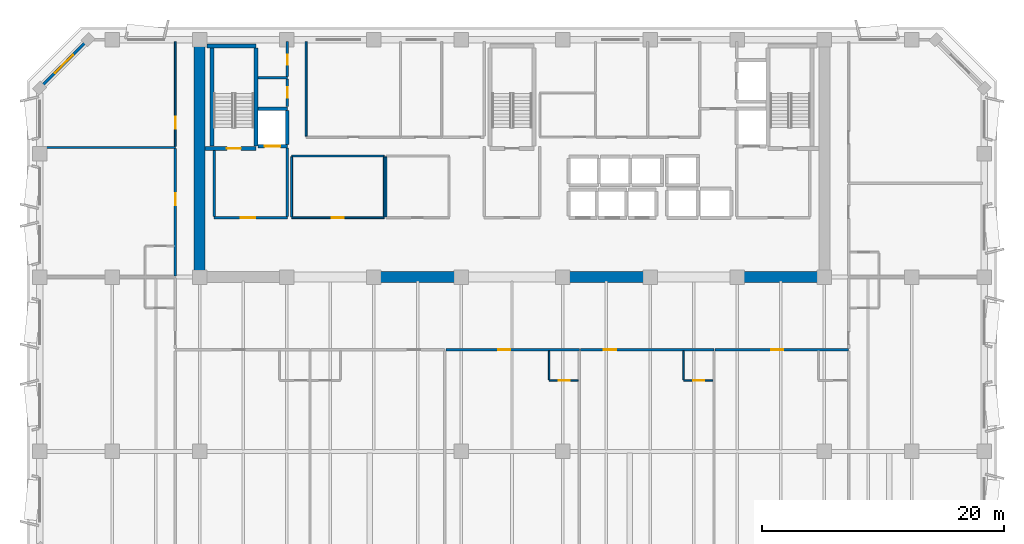
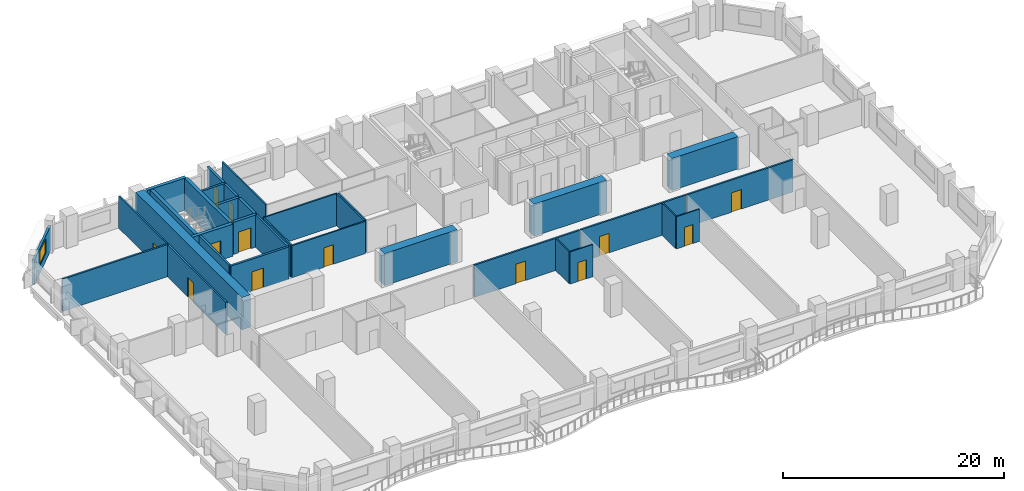
# One storey, part 5 of 14: 34 walls, 13 doors, 1 window, 14 openings.
"""IFC4 building model written with IfcOpenShell, lengths in metres."""

from ifc_helpers import new_model, si_unit, direction, frame, frame_2d, origin, place, context, subcontext, project, spatial, rectangle, extrude, material, layer, layer_set, type_object, element, fill, save


model = new_model("IFC4")

# Units and contexts
model_context = context("Model", 3, precision=1e-05, world=origin(), true_north=direction((0.0, 1.0)))
body_context = subcontext(model_context, "Body", "Model", "MODEL_VIEW")
ifc_project = project(units=[si_unit("LENGTHUNIT", "METRE"), si_unit("AREAUNIT", "SQUARE_METRE"), si_unit("VOLUMEUNIT", "CUBIC_METRE"), si_unit("PLANEANGLEUNIT", "RADIAN"), si_unit("MASSUNIT", "GRAM", prefix="KILO")], contexts=[model_context])

# Site, building, storey
site_placement = place(None, origin())
site = spatial("IfcSite", under=ifc_project, at=site_placement, CompositionType="ELEMENT")
building_placement = place(site_placement, origin())
building = spatial("IfcBuilding", under=site, at=building_placement, Name="Kaelvorn Grand Hotel", CompositionType="ELEMENT")
storey_placement = place(building_placement, frame((0.0, 0.0, 201.550048828125)))
storey = spatial("IfcBuildingStorey", under=building, at=storey_placement, Name="L49", CompositionType="ELEMENT", Elevation=201.550048828125)

# Walls
ifc_material_1 = material(Name="Concrete C60/75", Category="concrete")
ifc_layer_1 = layer(ifc_material_1, 0.89990234375)
ifc_layer_set_1 = layer_set([ifc_layer_1], Name="Concrete C60/75")
wall_type_1 = type_object("IfcWallType", Name="WL-CORE-900-C60", PredefinedType="SHEAR", material=ifc_layer_set_1)
wall_1_placement = place(storey_placement, frame((16.199951171875, 29.39990234375, 0.0), z_axis=(0.0, 0.0, 1.0), x_axis=(0.0, 1.0, 0.0)))
element("IfcWall", 1, at=wall_1_placement, inside=storey, type_object=wall_type_1, Name="L49 Rear-Core West Shear Wall", PredefinedType="SHEAR", context=body_context, shape_type="SweptSolid", body=[
    extrude(rectangle(XDim=19.2001953125, YDim=0.89990234375, at=frame_2d((9.60009765625, 0.0))), origin(), (0.0, 0.0, 1.0), 3.56005859375),
])
for number, where, z_axis, x_axis, name in (
    (2, (30.39990234375, 29.39990234375, 0.0), (0.0, 0.0, 1.0), (1.0, 0.0, 0.0), "L49 Rear-Core Coupled Shear Pier S2"),
    (3, (46.0, 29.39990234375, 0.0), (0.0, 0.0, 1.0), (1.0, 0.0, 0.0), "L49 Rear-Core Coupled Shear Pier S3"),
):
    element("IfcWall", number, at=place(storey_placement, frame(where, z_axis=z_axis, x_axis=x_axis)), inside=storey, type_object=wall_type_1, Name=name, PredefinedType="SHEAR", context=body_context, shape_type="SweptSolid", body=[
        extrude(rectangle(XDim=7.60009765625, YDim=0.89990234375, at=frame_2d((3.800048828125, 0.0))), origin(), (0.0, 0.0, 1.0), 3.56005859375),
    ])
wall_2_placement = place(storey_placement, frame((60.39990234375, 29.39990234375, 0.0), z_axis=(0.0, 0.0, 1.0), x_axis=(1.0, 0.0, 0.0)))
element("IfcWall", 4, at=wall_2_placement, inside=storey, type_object=wall_type_1, Name="L49 Rear-Core Coupled Shear Pier S4", PredefinedType="SHEAR", context=body_context, shape_type="SweptSolid", body=[
    extrude(rectangle(XDim=6.945068359375, YDim=0.89990234375, at=frame_2d((3.47265625, 0.0))), origin(), (0.0, 0.0, 1.0), 3.56005859375),
])

# Wall, opening, window
ifc_material_2 = material(Name="Concrete C40/50", Category="concrete")
ifc_layer_2 = layer(ifc_material_2, 0.239990234375)
ifc_layer_set_2 = layer_set([ifc_layer_2], Name="Concrete C40/50")
wall_type_2 = type_object("IfcWallType", Name="WL-EXT-240-C40", PredefinedType="SOLIDWALL", material=ifc_layer_set_2)
wall_3_placement = place(storey_placement, frame((7.0, 49.0, 0.0), z_axis=(0.0, 0.0, 1.0), x_axis=(-0.707106781187, -0.707106781187, 0.0)))
wall_3 = element("IfcWall", 5, at=wall_3_placement, inside=storey, type_object=wall_type_2, Name="L49 Exterior Architectural Concrete Wall 06", PredefinedType="SOLIDWALL", context=body_context, shape_type="SweptSolid", body=[
    extrude(rectangle(XDim=5.65673828125, YDim=0.239990234375, at=frame_2d((2.828369140625, 0.0))), origin(), (0.0, 0.0, 1.0), 2.760009765625),
])
opening_1_placement = place(wall_3_placement, frame((1.7783203125, 0.0, 0.85009765625)))
opening_1 = element("IfcOpeningElement", 6, at=opening_1_placement, cuts=wall_3, Name="Opening W7", PredefinedType="OPENING", context=body_context, shape_type="SweptSolid", body=[
    extrude(rectangle(XDim=2.10009765625, YDim=1.60009765625, at=frame_2d((1.050048828125, 0.800048828125))), frame((0.0, 0.1298828125, 0.0), z_axis=(0.0, -1.0, 0.0), x_axis=(1.0, 0.0, 0.0)), (0.0, 0.0, 1.0), 0.260009765625),
])
ifc_material_3 = material(Name="Laminated Low-E Glass", Category="glass")
window_type = type_object("IfcWindowType", Name="WIN-CHM-2100x1600", PartitioningType="SINGLE_PANEL", PredefinedType="WINDOW", material=ifc_material_3)
window_placement = place(opening_1_placement, origin())
window = element("IfcWindow", 7, at=window_placement, inside=storey, type_object=window_type, Name="L49 Chamfered 45-Degree Corner Window NW", OverallHeight=1.60009765625, OverallWidth=2.10009765625, PartitioningType="SINGLE_PANEL", PredefinedType="WINDOW", context=body_context, shape_type="SweptSolid", body=[
    extrude(rectangle(XDim=2.10009765625, YDim=1.60009765625, at=frame_2d((1.050048828125, 0.800048828125))), frame((0.0, 0.030029296875, 0.0), z_axis=(0.0, -1.0, 0.0), x_axis=(1.0, 0.0, 0.0)), (0.0, 0.0, 1.0), 0.06005859375),
])
fill(opening_1, window)

# Wall, opening, door
ifc_material_4 = material(Name="Moisture-Resistant Tile & Stud Board")
ifc_layer_3 = layer(ifc_material_4, 0.125)
ifc_layer_set_3 = layer_set([ifc_layer_3], Name="Moisture-Resistant Tile & Stud Board")
wall_type_3 = type_object("IfcWallType", Name="WL-PART-125-WET", PredefinedType="PARTITIONING", material=ifc_layer_set_3)
wall_4_placement = place(storey_placement, frame((45.06005859375, 20.85009765625, 0.0), z_axis=(0.0, 0.0, 1.0), x_axis=(1.0, 0.0, 0.0)))
wall_4 = element("IfcWall", 8, at=wall_4_placement, inside=storey, type_object=wall_type_3, Name="L49 En-suite Bathroom L49-03 S Partition", PredefinedType="PARTITIONING", context=body_context, shape_type="SweptSolid", body=[
    extrude(rectangle(XDim=2.405029296875, YDim=0.125, at=frame_2d((1.20263671875, 0.0))), origin(), (0.0, 0.0, 1.0), 3.56005859375),
])
opening_2_placement = place(wall_4_placement, frame((0.800048828125, 0.0, 0.0)))
opening_2 = element("IfcOpeningElement", 9, at=opening_2_placement, cuts=wall_4, Name="Opening DI4", PredefinedType="OPENING", context=body_context, shape_type="SweptSolid", body=[
    extrude(rectangle(XDim=0.89990234375, YDim=2.10009765625, at=frame_2d((0.449951171875, 1.050048828125))), frame((0.0, 0.072509765625, 0.0), z_axis=(0.0, -1.0, 0.0), x_axis=(1.0, 0.0, 0.0)), (0.0, 0.0, 1.0), 0.14501953125),
])
ifc_material_5 = material(Name="Timber Veneer Leaf", Category="wood")
door_type_1 = type_object("IfcDoorType", Name="DR-INT-BATH-900x2100", OperationType="NOTDEFINED", PredefinedType="DOOR", material=ifc_material_5)
door_1_placement = place(opening_2_placement, origin())
door_1 = element("IfcDoor", 10, at=door_1_placement, inside=storey, type_object=door_type_1, Name="L49 En-suite Bathroom L49-03 Door", OperationType="SINGLE_SWING_LEFT", OverallHeight=2.10009765625, OverallWidth=0.89990234375, PredefinedType="DOOR", context=body_context, shape_type="SweptSolid", body=[
    extrude(rectangle(XDim=0.89990234375, YDim=2.10009765625, at=frame_2d((0.449951171875, 1.050048828125))), frame((0.0, 0.02490234375, 0.0), z_axis=(0.0, -1.0, 0.0), x_axis=(1.0, 0.0, 0.0)), (0.0, 0.0, 1.0), 0.050048828125),
])
fill(opening_2, door_1)

# Wall
wall_5_placement = place(storey_placement, frame((45.06005859375, 20.91748046875, 0.0), z_axis=(0.0, 0.0, 1.0), x_axis=(0.0, 1.0, 0.0)))
element("IfcWall", 11, at=wall_5_placement, inside=storey, type_object=wall_type_3, Name="L49 En-suite Bathroom L49-03 W Partition", PredefinedType="PARTITIONING", context=body_context, shape_type="SweptSolid", body=[
    extrude(rectangle(XDim=2.387451171875, YDim=0.125, at=frame_2d((1.19384765625, 0.0))), origin(), (0.0, 0.0, 1.0), 3.56005859375),
])

# Wall, opening, door
wall_6_placement = place(storey_placement, frame((56.179931640625, 20.85009765625, 0.0), z_axis=(0.0, 0.0, 1.0), x_axis=(1.0, 0.0, 0.0)))
wall_6 = element("IfcWall", 12, at=wall_6_placement, inside=storey, type_object=wall_type_3, Name="L49 En-suite Bathroom L49-04 S Partition", PredefinedType="PARTITIONING", context=body_context, shape_type="SweptSolid", body=[
    extrude(rectangle(XDim=2.405029296875, YDim=0.125, at=frame_2d((1.20263671875, 0.0))), origin(), (0.0, 0.0, 1.0), 3.56005859375),
])
opening_3_placement = place(wall_6_placement, frame((0.800048828125, 0.0, 0.0)))
opening_3 = element("IfcOpeningElement", 13, at=opening_3_placement, cuts=wall_6, Name="Opening DI4", PredefinedType="OPENING", context=body_context, shape_type="SweptSolid", body=[
    extrude(rectangle(XDim=0.89990234375, YDim=2.10009765625, at=frame_2d((0.449951171875, 1.050048828125))), frame((0.0, 0.072509765625, 0.0), z_axis=(0.0, -1.0, 0.0), x_axis=(1.0, 0.0, 0.0)), (0.0, 0.0, 1.0), 0.14501953125),
])
door_2_placement = place(opening_3_placement, origin())
door_2 = element("IfcDoor", 14, at=door_2_placement, inside=storey, type_object=door_type_1, Name="L49 En-suite Bathroom L49-04 Door", OperationType="SINGLE_SWING_LEFT", OverallHeight=2.10009765625, OverallWidth=0.89990234375, PredefinedType="DOOR", context=body_context, shape_type="SweptSolid", body=[
    extrude(rectangle(XDim=0.89990234375, YDim=2.10009765625, at=frame_2d((0.449951171875, 1.050048828125))), frame((0.0, 0.02490234375, 0.0), z_axis=(0.0, -1.0, 0.0), x_axis=(1.0, 0.0, 0.0)), (0.0, 0.0, 1.0), 0.050048828125),
])
fill(opening_3, door_2)

# Walls
wall_7_placement = place(storey_placement, frame((56.179931640625, 20.91748046875, 0.0), z_axis=(0.0, 0.0, 1.0), x_axis=(0.0, 1.0, 0.0)))
element("IfcWall", 15, at=wall_7_placement, inside=storey, type_object=wall_type_3, Name="L49 En-suite Bathroom L49-04 W Partition", PredefinedType="PARTITIONING", context=body_context, shape_type="SweptSolid", body=[
    extrude(rectangle(XDim=2.387451171875, YDim=0.125, at=frame_2d((1.19384765625, 0.0))), origin(), (0.0, 0.0, 1.0), 3.56005859375),
])
ifc_material_6 = material(Name="Acoustic Gypsum & Stud Partition")
ifc_layer_4 = layer(ifc_material_6, 0.14990234375)
ifc_layer_set_4 = layer_set([ifc_layer_4], Name="Acoustic Gypsum & Stud Partition")
wall_type_4 = type_object("IfcWallType", Name="WL-PART-150-EI60", PredefinedType="PARTITIONING", material=ifc_layer_set_4)
wall_8_placement = place(storey_placement, frame((31.60009765625, 34.3798828125, 0.0), z_axis=(0.0, 0.0, 1.0), x_axis=(0.0, 1.0, 0.0)))
element("IfcWall", 16, at=wall_8_placement, inside=storey, type_object=wall_type_4, Name="L49 Core Telecoms & BMS Server Room W Partition", PredefinedType="PARTITIONING", context=body_context, shape_type="SweptSolid", body=[
    extrude(rectangle(XDim=4.940185546875, YDim=0.14990234375, at=frame_2d((2.47021484375, 0.0))), origin(), (0.0, 0.0, 1.0), 3.56005859375),
])

# Wall, opening, door
wall_9_placement = place(storey_placement, frame((23.800048828125, 34.300048828125, 0.0), z_axis=(0.0, 0.0, 1.0), x_axis=(1.0, 0.0, 0.0)))
wall_9 = element("IfcWall", 17, at=wall_9_placement, inside=storey, type_object=wall_type_4, Name="L49 Executive Club Sitting Lounge S Partition", PredefinedType="PARTITIONING", context=body_context, shape_type="SweptSolid", body=[
    extrude(rectangle(XDim=7.64990234375, YDim=0.14990234375, at=frame_2d((3.824951171875, 0.0))), origin(), (0.0, 0.0, 1.0), 3.56005859375),
])
opening_4_placement = place(wall_9_placement, frame((3.300048828125, 0.0, 0.0)))
opening_4 = element("IfcOpeningElement", 18, at=opening_4_placement, cuts=wall_9, Name="Opening DI3", PredefinedType="OPENING", context=body_context, shape_type="SweptSolid", body=[
    extrude(rectangle(XDim=1.0, YDim=2.14990234375, at=frame_2d((0.5, 1.074951171875))), frame((0.0, 0.0849609375, 0.0), z_axis=(0.0, -1.0, 0.0), x_axis=(1.0, 0.0, 0.0)), (0.0, 0.0, 1.0), 0.169921875),
])
ifc_material_7 = material(Name="Timber Veneer Fire Leaf", Category="wood")
door_type_2 = type_object("IfcDoorType", Name="DR-INT-GUEST-1000x2150", OperationType="NOTDEFINED", PredefinedType="DOOR", material=ifc_material_7)
door_3_placement = place(opening_4_placement, origin())
door_3 = element("IfcDoor", 19, at=door_3_placement, inside=storey, type_object=door_type_2, Name="L49 Executive Club Sitting Lounge Door", OperationType="SINGLE_SWING_LEFT", OverallHeight=2.14990234375, OverallWidth=1.0, PredefinedType="DOOR", context=body_context, shape_type="SweptSolid", body=[
    extrude(rectangle(XDim=1.0, YDim=2.14990234375, at=frame_2d((0.5, 1.074951171875))), frame((0.0, 0.02490234375, 0.0), z_axis=(0.0, -1.0, 0.0), x_axis=(1.0, 0.0, 0.0)), (0.0, 0.0, 1.0), 0.050048828125),
])
fill(opening_4, door_3)

# Walls
wall_10_placement = place(storey_placement, frame((23.800048828125, 39.39990234375, 0.0), z_axis=(0.0, 0.0, 1.0), x_axis=(1.0, 0.0, 0.0)))
element("IfcWall", 20, at=wall_10_placement, inside=storey, type_object=wall_type_4, Name="L49 Executive Club Sitting Lounge N Partition", PredefinedType="PARTITIONING", context=body_context, shape_type="SweptSolid", body=[
    extrude(rectangle(XDim=7.64990234375, YDim=0.14990234375, at=frame_2d((3.824951171875, 0.0))), origin(), (0.0, 0.0, 1.0), 3.56005859375),
])
for number, where, z_axis, x_axis, name in (
    (21, (23.800048828125, 34.3798828125, 0.0), (0.0, 0.0, 1.0), (0.0, 1.0, 0.0), "L49 Executive Club Sitting Lounge W Partition"),
    (22, (31.449951171875, 34.3798828125, 0.0), (0.0, 0.0, 1.0), (0.0, 1.0, 0.0), "L49 Executive Club Sitting Lounge E Partition"),
):
    element("IfcWall", number, at=place(storey_placement, frame(where, z_axis=z_axis, x_axis=x_axis)), inside=storey, type_object=wall_type_4, Name=name, PredefinedType="PARTITIONING", context=body_context, shape_type="SweptSolid", body=[
        extrude(rectangle(XDim=4.940185546875, YDim=0.14990234375, at=frame_2d((2.47021484375, 0.0))), origin(), (0.0, 0.0, 1.0), 3.56005859375),
    ])
wall_11_placement = place(storey_placement, frame((25.0, 41.030029296875, 0.0), z_axis=(0.0, 0.0, 1.0), x_axis=(0.0, 1.0, 0.0)))
element("IfcWall", 23, at=wall_11_placement, inside=storey, type_object=wall_type_4, Name="L49 Housekeeping & Linen Room W Partition", PredefinedType="PARTITIONING", context=body_context, shape_type="SweptSolid", body=[
    extrude(rectangle(XDim=7.820068359375, YDim=0.14990234375, at=frame_2d((3.91015625, 0.0))), origin(), (0.0, 0.0, 1.0), 3.56005859375),
])

# Wall, opening, door
wall_12_placement = place(storey_placement, frame((14.199951171875, 40.195068359375, 0.0), z_axis=(0.0, 0.0, 1.0), x_axis=(0.0, 1.0, 0.0)))
wall_12 = element("IfcWall", 24, at=wall_12_placement, inside=storey, type_object=wall_type_4, Name="L49 North-West Executive Law Office E Partition", PredefinedType="PARTITIONING", context=body_context, shape_type="SweptSolid", body=[
    extrude(rectangle(XDim=8.655029296875, YDim=0.14990234375, at=frame_2d((4.32763671875, 0.0))), origin(), (0.0, 0.0, 1.0), 3.56005859375),
])
opening_5_placement = place(wall_12_placement, frame((1.455078125, 0.0, 0.0)))
opening_5 = element("IfcOpeningElement", 25, at=opening_5_placement, cuts=wall_12, Name="Opening DI3", PredefinedType="OPENING", context=body_context, shape_type="SweptSolid", body=[
    extrude(rectangle(XDim=1.0, YDim=2.14990234375, at=frame_2d((0.5, 1.074951171875))), frame((0.0, 0.0849609375, 0.0), z_axis=(0.0, -1.0, 0.0), x_axis=(1.0, 0.0, 0.0)), (0.0, 0.0, 1.0), 0.169921875),
])
door_4_placement = place(opening_5_placement, origin())
door_4 = element("IfcDoor", 26, at=door_4_placement, inside=storey, type_object=door_type_2, Name="L49 North-West Executive Law Office Door", OperationType="SINGLE_SWING_RIGHT", OverallHeight=2.14990234375, OverallWidth=1.0, PredefinedType="DOOR", context=body_context, shape_type="SweptSolid", body=[
    extrude(rectangle(XDim=1.0, YDim=2.14990234375, at=frame_2d((0.5, 1.074951171875))), frame((0.0, 0.02490234375, 0.0), z_axis=(0.0, -1.0, 0.0), x_axis=(1.0, 0.0, 0.0)), (0.0, 0.0, 1.0), 0.050048828125),
])
fill(opening_5, door_4)

ifc_layer_5 = layer(ifc_material_6, 0.179931640625)
ifc_layer_set_5 = layer_set([ifc_layer_5], Name="Acoustic Gypsum & Stud Partition")
wall_type_5 = type_object("IfcWallType", Name="WL-PART-180-EI60", PredefinedType="PARTITIONING", material=ifc_layer_set_5)
wall_13_placement = place(storey_placement, frame((36.534912109375, 23.39990234375, 0.0), z_axis=(0.0, 0.0, 1.0), x_axis=(1.0, 0.0, 0.0)))
wall_13 = element("IfcWall", 27, at=wall_13_placement, inside=storey, type_object=wall_type_5, Name="L49 Mid-Rise Signature Suite L49-03 N Partition", PredefinedType="PARTITIONING", context=body_context, shape_type="SweptSolid", body=[
    extrude(rectangle(XDim=11.025146484375, YDim=0.179931640625, at=frame_2d((5.5126953125, 0.0))), origin(), (0.0, 0.0, 1.0), 3.56005859375),
])
opening_6_placement = place(wall_13_placement, frame((4.3349609375, 0.0, 0.0)))
opening_6 = element("IfcOpeningElement", 28, at=opening_6_placement, cuts=wall_13, Name="Opening DI3", PredefinedType="OPENING", context=body_context, shape_type="SweptSolid", body=[
    extrude(rectangle(XDim=1.0, YDim=2.14990234375, at=frame_2d((0.5, 1.074951171875))), frame((0.0, 0.10009765625, 0.0), z_axis=(0.0, -1.0, 0.0), x_axis=(1.0, 0.0, 0.0)), (0.0, 0.0, 1.0), 0.199951171875),
])
door_5_placement = place(opening_6_placement, origin())
door_5 = element("IfcDoor", 29, at=door_5_placement, inside=storey, type_object=door_type_2, Name="L49 Mid-Rise Signature Suite L49-03 Door", OperationType="SINGLE_SWING_RIGHT", OverallHeight=2.14990234375, OverallWidth=1.0, PredefinedType="DOOR", context=body_context, shape_type="SweptSolid", body=[
    extrude(rectangle(XDim=1.0, YDim=2.14990234375, at=frame_2d((0.5, 1.074951171875))), frame((0.0, 0.02490234375, 0.0), z_axis=(0.0, -1.0, 0.0), x_axis=(1.0, 0.0, 0.0)), (0.0, 0.0, 1.0), 0.050048828125),
])
fill(opening_6, door_5)

wall_14_placement = place(storey_placement, frame((47.655029296875, 23.39990234375, 0.0), z_axis=(0.0, 0.0, 1.0), x_axis=(1.0, 0.0, 0.0)))
wall_14 = element("IfcWall", 30, at=wall_14_placement, inside=storey, type_object=wall_type_5, Name="L49 Mid-Rise Signature Suite L49-04 N Partition", PredefinedType="PARTITIONING", context=body_context, shape_type="SweptSolid", body=[
    extrude(rectangle(XDim=11.02490234375, YDim=0.179931640625, at=frame_2d((5.512451171875, 0.0))), origin(), (0.0, 0.0, 1.0), 3.56005859375),
])
opening_7_placement = place(wall_14_placement, frame((1.93505859375, 0.0, 0.0)))
opening_7 = element("IfcOpeningElement", 31, at=opening_7_placement, cuts=wall_14, Name="Opening DI3", PredefinedType="OPENING", context=body_context, shape_type="SweptSolid", body=[
    extrude(rectangle(XDim=1.0, YDim=2.14990234375, at=frame_2d((0.5, 1.074951171875))), frame((0.0, 0.10009765625, 0.0), z_axis=(0.0, -1.0, 0.0), x_axis=(1.0, 0.0, 0.0)), (0.0, 0.0, 1.0), 0.199951171875),
])
door_6_placement = place(opening_7_placement, origin())
door_6 = element("IfcDoor", 32, at=door_6_placement, inside=storey, type_object=door_type_2, Name="L49 Mid-Rise Signature Suite L49-04 Door", OperationType="SINGLE_SWING_RIGHT", OverallHeight=2.14990234375, OverallWidth=1.0, PredefinedType="DOOR", context=body_context, shape_type="SweptSolid", body=[
    extrude(rectangle(XDim=1.0, YDim=2.14990234375, at=frame_2d((0.5, 1.074951171875))), frame((0.0, 0.02490234375, 0.0), z_axis=(0.0, -1.0, 0.0), x_axis=(1.0, 0.0, 0.0)), (0.0, 0.0, 1.0), 0.050048828125),
])
fill(opening_7, door_6)

wall_15_placement = place(storey_placement, frame((58.77490234375, 23.39990234375, 0.0), z_axis=(0.0, 0.0, 1.0), x_axis=(1.0, 0.0, 0.0)))
wall_15 = element("IfcWall", 33, at=wall_15_placement, inside=storey, type_object=wall_type_5, Name="L49 Mid-Rise Signature Suite L49-05 N Partition", PredefinedType="PARTITIONING", context=body_context, shape_type="SweptSolid", body=[
    extrude(rectangle(XDim=11.025146484375, YDim=0.179931640625, at=frame_2d((5.5126953125, 0.0))), origin(), (0.0, 0.0, 1.0), 3.56005859375),
])
opening_8_placement = place(wall_15_placement, frame((4.614990234375, 0.0, 0.0)))
opening_8 = element("IfcOpeningElement", 34, at=opening_8_placement, cuts=wall_15, Name="Opening DI3", PredefinedType="OPENING", context=body_context, shape_type="SweptSolid", body=[
    extrude(rectangle(XDim=1.0, YDim=2.14990234375, at=frame_2d((0.5, 1.074951171875))), frame((0.0, 0.10009765625, 0.0), z_axis=(0.0, -1.0, 0.0), x_axis=(1.0, 0.0, 0.0)), (0.0, 0.0, 1.0), 0.199951171875),
])
door_7_placement = place(opening_8_placement, origin())
door_7 = element("IfcDoor", 35, at=door_7_placement, inside=storey, type_object=door_type_2, Name="L49 Mid-Rise Signature Suite L49-05 Door", OperationType="SINGLE_SWING_RIGHT", OverallHeight=2.14990234375, OverallWidth=1.0, PredefinedType="DOOR", context=body_context, shape_type="SweptSolid", body=[
    extrude(rectangle(XDim=1.0, YDim=2.14990234375, at=frame_2d((0.5, 1.074951171875))), frame((0.0, 0.02490234375, 0.0), z_axis=(0.0, -1.0, 0.0), x_axis=(1.0, 0.0, 0.0)), (0.0, 0.0, 1.0), 0.050048828125),
])
fill(opening_8, door_7)

# Wall
wall_16_placement = place(storey_placement, frame((3.14990234375, 40.10009765625, 0.0), z_axis=(0.0, 0.0, 1.0), x_axis=(1.0, 0.0, 0.0)))
element("IfcWall", 36, at=wall_16_placement, inside=storey, type_object=wall_type_5, Name="L49 North-West Wing Suite L49-08 N Partition", PredefinedType="PARTITIONING", context=body_context, shape_type="SweptSolid", body=[
    extrude(rectangle(XDim=11.050048828125, YDim=0.179931640625, at=frame_2d((5.52490234375, 0.0))), origin(), (0.0, 0.0, 1.0), 3.56005859375),
])

# Wall, opening, door
wall_17_placement = place(storey_placement, frame((14.199951171875, 29.4951171875, 0.0), z_axis=(0.0, 0.0, 1.0), x_axis=(0.0, 1.0, 0.0)))
wall_17 = element("IfcWall", 37, at=wall_17_placement, inside=storey, type_object=wall_type_5, Name="L49 North-West Wing Suite L49-08 E Partition", PredefinedType="PARTITIONING", context=body_context, shape_type="SweptSolid", body=[
    extrude(rectangle(XDim=10.509765625, YDim=0.179931640625, at=frame_2d((5.2548828125, 0.0))), origin(), (0.0, 0.0, 1.0), 3.56005859375),
])
opening_9_placement = place(wall_17_placement, frame((5.840087890625, 0.0, 0.0)))
opening_9 = element("IfcOpeningElement", 38, at=opening_9_placement, cuts=wall_17, Name="Opening DI3", PredefinedType="OPENING", context=body_context, shape_type="SweptSolid", body=[
    extrude(rectangle(XDim=1.0, YDim=2.14990234375, at=frame_2d((0.5, 1.074951171875))), frame((0.0, 0.10009765625, 0.0), z_axis=(0.0, -1.0, 0.0), x_axis=(1.0, 0.0, 0.0)), (0.0, 0.0, 1.0), 0.199951171875),
])
door_8_placement = place(opening_9_placement, origin())
door_8 = element("IfcDoor", 39, at=door_8_placement, inside=storey, type_object=door_type_2, Name="L49 North-West Wing Suite L49-08 Door", OperationType="SINGLE_SWING_RIGHT", OverallHeight=2.14990234375, OverallWidth=1.0, PredefinedType="DOOR", context=body_context, shape_type="SweptSolid", body=[
    extrude(rectangle(XDim=1.0, YDim=2.14990234375, at=frame_2d((0.5, 1.074951171875))), frame((0.0, 0.02490234375, 0.0), z_axis=(0.0, -1.0, 0.0), x_axis=(1.0, 0.0, 0.0)), (0.0, 0.0, 1.0), 0.050048828125),
])
fill(opening_9, door_8)

ifc_layer_6 = layer(ifc_material_2, 0.219970703125)
ifc_layer_set_6 = layer_set([ifc_layer_6], Name="Concrete C40/50")
wall_type_6 = type_object("IfcWallType", Name="WL-PART-220-EI120", PredefinedType="PARTITIONING", material=ifc_layer_set_6)
wall_18_placement = place(storey_placement, frame((17.39990234375, 34.300048828125, 0.0), z_axis=(0.0, 0.0, 1.0), x_axis=(1.0, 0.0, 0.0)))
wall_18 = element("IfcWall", 40, at=wall_18_placement, inside=storey, type_object=wall_type_6, Name="L49 Firefighting Lift Lobby 1 S Partition", PredefinedType="PARTITIONING", context=body_context, shape_type="SweptSolid", body=[
    extrude(rectangle(XDim=6.050048828125, YDim=0.219970703125, at=frame_2d((3.02490234375, 0.0))), origin(), (0.0, 0.0, 1.0), 3.56005859375),
])
opening_10_placement = place(wall_18_placement, frame((2.199951171875, 0.0, 0.0)))
opening_10 = element("IfcOpeningElement", 41, at=opening_10_placement, cuts=wall_18, Name="Opening DI2", PredefinedType="OPENING", context=body_context, shape_type="SweptSolid", body=[
    extrude(rectangle(XDim=1.199951171875, YDim=2.14990234375, at=frame_2d((0.60009765625, 1.074951171875))), frame((0.0, 0.1201171875, 0.0), z_axis=(0.0, -1.0, 0.0), x_axis=(1.0, 0.0, 0.0)), (0.0, 0.0, 1.0), 0.239990234375),
])
door_type_3 = type_object("IfcDoorType", Name="DR-INT-FFLOB-1200x2150", OperationType="NOTDEFINED", PredefinedType="DOOR", material=ifc_material_7)
door_9_placement = place(opening_10_placement, origin())
door_9 = element("IfcDoor", 42, at=door_9_placement, inside=storey, type_object=door_type_3, Name="L49 Firefighting Lift Lobby 1 Door", OperationType="SINGLE_SWING_RIGHT", OverallHeight=2.14990234375, OverallWidth=1.199951171875, PredefinedType="DOOR", context=body_context, shape_type="SweptSolid", body=[
    extrude(rectangle(XDim=1.199951171875, YDim=2.14990234375, at=frame_2d((0.60009765625, 1.074951171875))), frame((0.0, 0.02490234375, 0.0), z_axis=(0.0, -1.0, 0.0), x_axis=(1.0, 0.0, 0.0)), (0.0, 0.0, 1.0), 0.050048828125),
])
fill(opening_10, door_9)

# Walls
wall_19_placement = place(storey_placement, frame((17.39990234375, 34.4150390625, 0.0), z_axis=(0.0, 0.0, 1.0), x_axis=(0.0, 1.0, 0.0)))
element("IfcWall", 43, at=wall_19_placement, inside=storey, type_object=wall_type_6, Name="L49 Firefighting Lift Lobby 1 W Partition", PredefinedType="PARTITIONING", context=body_context, shape_type="SweptSolid", body=[
    extrude(rectangle(XDim=5.429931640625, YDim=0.219970703125, at=frame_2d((2.71484375, 0.0))), origin(), (0.0, 0.0, 1.0), 3.56005859375),
])
wall_20_placement = place(storey_placement, frame((23.449951171875, 34.4150390625, 0.0), z_axis=(0.0, 0.0, 1.0), x_axis=(0.0, 1.0, 0.0)))
element("IfcWall", 44, at=wall_20_placement, inside=storey, type_object=wall_type_6, Name="L49 Firefighting Lift Lobby 1 E Partition", PredefinedType="PARTITIONING", context=body_context, shape_type="SweptSolid", body=[
    extrude(rectangle(XDim=5.639892578125, YDim=0.219970703125, at=frame_2d((2.81982421875, 0.0))), origin(), (0.0, 0.0, 1.0), 3.56005859375),
])
wall_21_placement = place(storey_placement, frame((21.034912109375, 45.85009765625, 0.0), z_axis=(0.0, 0.0, 1.0), x_axis=(1.0, 0.0, 0.0)))
element("IfcWall", 45, at=wall_21_placement, inside=storey, type_object=wall_type_6, Name="L49 Wet Fire & Plumbing Riser Shaft N Partition", PredefinedType="PARTITIONING", context=body_context, shape_type="SweptSolid", body=[
    extrude(rectangle(XDim=2.4150390625, YDim=0.219970703125, at=frame_2d((1.20751953125, 0.0))), origin(), (0.0, 0.0, 1.0), 3.56005859375),
])

# Wall, opening, door
wall_22_placement = place(storey_placement, frame((23.449951171875, 43.5, 0.0), z_axis=(0.0, 0.0, 1.0), x_axis=(0.0, 1.0, 0.0)))
wall_22 = element("IfcWall", 46, at=wall_22_placement, inside=storey, type_object=wall_type_6, Name="L49 Wet Fire & Plumbing Riser Shaft E Partition", PredefinedType="PARTITIONING", context=body_context, shape_type="SweptSolid", body=[
    extrude(rectangle(XDim=2.235107421875, YDim=0.219970703125, at=frame_2d((1.11767578125, 0.0))), origin(), (0.0, 0.0, 1.0), 3.56005859375),
])
opening_11_placement = place(wall_22_placement, frame((0.72509765625, 0.0, 0.0)))
opening_11 = element("IfcOpeningElement", 47, at=opening_11_placement, cuts=wall_22, Name="Opening DI7", PredefinedType="OPENING", context=body_context, shape_type="SweptSolid", body=[
    extrude(rectangle(XDim=0.85009765625, YDim=2.10009765625, at=frame_2d((0.425048828125, 1.050048828125))), frame((0.0, 0.1201171875, 0.0), z_axis=(0.0, -1.0, 0.0), x_axis=(1.0, 0.0, 0.0)), (0.0, 0.0, 1.0), 0.239990234375),
])
ifc_material_8 = material(Name="Powder-Coated Steel Leaf", Category="steel")
door_type_4 = type_object("IfcDoorType", Name="DR-INT-RISER-850x2100", OperationType="NOTDEFINED", PredefinedType="DOOR", material=ifc_material_8)
door_10_placement = place(opening_11_placement, origin())
door_10 = element("IfcDoor", 48, at=door_10_placement, inside=storey, type_object=door_type_4, Name="L49 Wet Fire & Plumbing Riser Shaft Door", OperationType="SINGLE_SWING_RIGHT", OverallHeight=2.10009765625, OverallWidth=0.85009765625, PredefinedType="DOOR", context=body_context, shape_type="SweptSolid", body=[
    extrude(rectangle(XDim=0.85009765625, YDim=2.10009765625, at=frame_2d((0.425048828125, 1.050048828125))), frame((0.0, 0.02490234375, 0.0), z_axis=(0.0, -1.0, 0.0), x_axis=(1.0, 0.0, 0.0)), (0.0, 0.0, 1.0), 0.050048828125),
])
fill(opening_11, door_10)

wall_23_placement = place(storey_placement, frame((23.449951171875, 45.965087890625, 0.0), z_axis=(0.0, 0.0, 1.0), x_axis=(0.0, 1.0, 0.0)))
wall_23 = element("IfcWall", 49, at=wall_23_placement, inside=storey, type_object=wall_type_6, Name="L49 HV Electrical & Smoke Riser E Partition", PredefinedType="PARTITIONING", context=body_context, shape_type="SweptSolid", body=[
    extrude(rectangle(XDim=2.885009765625, YDim=0.219970703125, at=frame_2d((1.4423828125, 0.0))), origin(), (0.0, 0.0, 1.0), 3.56005859375),
])
opening_12_placement = place(wall_23_placement, frame((0.9599609375, 0.0, 0.0)))
opening_12 = element("IfcOpeningElement", 50, at=opening_12_placement, cuts=wall_23, Name="Opening DI7", PredefinedType="OPENING", context=body_context, shape_type="SweptSolid", body=[
    extrude(rectangle(XDim=0.85009765625, YDim=2.10009765625, at=frame_2d((0.425048828125, 1.050048828125))), frame((0.0, 0.1201171875, 0.0), z_axis=(0.0, -1.0, 0.0), x_axis=(1.0, 0.0, 0.0)), (0.0, 0.0, 1.0), 0.239990234375),
])
door_11_placement = place(opening_12_placement, origin())
door_11 = element("IfcDoor", 51, at=door_11_placement, inside=storey, type_object=door_type_4, Name="L49 HV Electrical & Smoke Riser Door", OperationType="SINGLE_SWING_LEFT", OverallHeight=2.10009765625, OverallWidth=0.85009765625, PredefinedType="DOOR", context=body_context, shape_type="SweptSolid", body=[
    extrude(rectangle(XDim=0.85009765625, YDim=2.10009765625, at=frame_2d((0.425048828125, 1.050048828125))), frame((0.0, 0.02490234375, 0.0), z_axis=(0.0, -1.0, 0.0), x_axis=(1.0, 0.0, 0.0)), (0.0, 0.0, 1.0), 0.050048828125),
])
fill(opening_12, door_11)

ifc_material_9 = material(Name="Concrete C50/60", Category="concrete")
ifc_layer_7 = layer(ifc_material_9, 0.280029296875)
ifc_layer_set_7 = layer_set([ifc_layer_7], Name="Concrete C50/60")
wall_type_7 = type_object("IfcWallType", Name="WL-SHAFT-280-C50", PredefinedType="SHEAR", material=ifc_layer_set_7)
wall_24_placement = place(storey_placement, frame((21.034912109375, 40.199951171875, 0.0), z_axis=(0.0, 0.0, 1.0), x_axis=(1.0, 0.0, 0.0)))
wall_24 = element("IfcWall", 52, at=wall_24_placement, inside=storey, type_object=wall_type_7, Name="L49 Lift FFL1 Shaft South Wall", PredefinedType="SHEAR", context=body_context, shape_type="SweptSolid", body=[
    extrude(rectangle(XDim=2.4150390625, YDim=0.280029296875, at=frame_2d((1.20751953125, 0.0))), origin(), (0.0, 0.0, 1.0), 3.56005859375),
])
opening_13_placement = place(wall_24_placement, frame((0.5400390625, 0.0, 0.0)))
opening_13 = element("IfcOpeningElement", 53, at=opening_13_placement, cuts=wall_24, Name="Opening LD-FFL1", PredefinedType="OPENING", context=body_context, shape_type="SweptSolid", body=[
    extrude(rectangle(XDim=1.300048828125, YDim=2.300048828125, at=frame_2d((0.64990234375, 1.14990234375))), frame((0.0, 0.14990234375, 0.0), z_axis=(0.0, -1.0, 0.0), x_axis=(1.0, 0.0, 0.0)), (0.0, 0.0, 1.0), 0.300048828125),
])
ifc_material_10 = material(Name="Stainless Steel", Category="steel")
door_type_5 = type_object("IfcDoorType", Name="DR-LIFT-SERV-1300x2300", OperationType="DOUBLE_DOOR_SLIDING", PredefinedType="DOOR", material=ifc_material_10)
door_12_placement = place(opening_13_placement, origin())
door_12 = element("IfcDoor", 54, at=door_12_placement, inside=storey, type_object=door_type_5, Name="L49 Lift FFL1 Sliding Landing Door LD-FFL1", OperationType="DOUBLE_DOOR_SLIDING", OverallHeight=2.300048828125, OverallWidth=1.300048828125, PredefinedType="DOOR", context=body_context, shape_type="SweptSolid", body=[
    extrude(rectangle(XDim=1.300048828125, YDim=2.300048828125, at=frame_2d((0.64990234375, 1.14990234375))), frame((0.0, 0.02490234375, 0.0), z_axis=(0.0, -1.0, 0.0), x_axis=(1.0, 0.0, 0.0)), (0.0, 0.0, 1.0), 0.050048828125),
])
fill(opening_13, door_12)

# Walls
wall_25_placement = place(storey_placement, frame((21.034912109375, 43.300048828125, 0.0), z_axis=(0.0, 0.0, 1.0), x_axis=(1.0, 0.0, 0.0)))
element("IfcWall", 55, at=wall_25_placement, inside=storey, type_object=wall_type_7, Name="L49 Lift FFL1 Shaft North Wall", PredefinedType="SHEAR", context=body_context, shape_type="SweptSolid", body=[
    extrude(rectangle(XDim=2.4150390625, YDim=0.280029296875, at=frame_2d((1.20751953125, 0.0))), origin(), (0.0, 0.0, 1.0), 3.56005859375),
])
wall_26_placement = place(storey_placement, frame((23.449951171875, 40.344970703125, 0.0), z_axis=(0.0, 0.0, 1.0), x_axis=(0.0, 1.0, 0.0)))
element("IfcWall", 56, at=wall_26_placement, inside=storey, type_object=wall_type_7, Name="L49 Lift FFL1 Shaft East Wall", PredefinedType="SHEAR", context=body_context, shape_type="SweptSolid", body=[
    extrude(rectangle(XDim=2.81005859375, YDim=0.280029296875, at=frame_2d((1.405029296875, 0.0))), origin(), (0.0, 0.0, 1.0), 3.56005859375),
])

# Wall, opening, door
ifc_layer_8 = layer(ifc_material_1, 0.35009765625)
ifc_layer_set_8 = layer_set([ifc_layer_8], Name="Concrete C60/75")
wall_type_8 = type_object("IfcWallType", Name="WL-SHAFT-350-C60", PredefinedType="SHEAR", material=ifc_layer_set_8)
wall_27_placement = place(storey_placement, frame((16.655029296875, 40.02490234375, 0.0), z_axis=(0.0, 0.0, 1.0), x_axis=(1.0, 0.0, 0.0)))
wall_27 = element("IfcWall", 57, at=wall_27_placement, inside=storey, type_object=wall_type_8, Name="L49 ST1 Stair Shaft South Wall", PredefinedType="SHEAR", context=body_context, shape_type="SweptSolid", body=[
    extrude(rectangle(XDim=4.199951171875, YDim=0.35009765625, at=frame_2d((2.10009765625, 0.0))), origin(), (0.0, 0.0, 1.0), 3.56005859375),
])
opening_14_placement = place(wall_27_placement, frame((1.81005859375, 0.0, 0.0)))
opening_14 = element("IfcOpeningElement", 58, at=opening_14_placement, cuts=wall_27, Name="Opening DI1", PredefinedType="OPENING", context=body_context, shape_type="SweptSolid", body=[
    extrude(rectangle(XDim=1.14990234375, YDim=2.14990234375, at=frame_2d((0.574951171875, 1.074951171875))), frame((0.0, 0.18505859375, 0.0), z_axis=(0.0, -1.0, 0.0), x_axis=(1.0, 0.0, 0.0)), (0.0, 0.0, 1.0), 0.3701171875),
])
door_type_6 = type_object("IfcDoorType", Name="DR-INT-STAIR-1150x2150", OperationType="NOTDEFINED", PredefinedType="DOOR", material=ifc_material_7)
door_13_placement = place(opening_14_placement, origin())
door_13 = element("IfcDoor", 59, at=door_13_placement, inside=storey, type_object=door_type_6, Name="L49 ST1 Exit Stair Fire Door", OperationType="SINGLE_SWING_LEFT", OverallHeight=2.14990234375, OverallWidth=1.14990234375, PredefinedType="DOOR", context=body_context, shape_type="SweptSolid", body=[
    extrude(rectangle(XDim=1.14990234375, YDim=2.14990234375, at=frame_2d((0.574951171875, 1.074951171875))), frame((0.0, 0.02490234375, 0.0), z_axis=(0.0, -1.0, 0.0), x_axis=(1.0, 0.0, 0.0)), (0.0, 0.0, 1.0), 0.050048828125),
])
fill(opening_14, door_13)

# Walls
wall_28_placement = place(storey_placement, frame((16.804931640625, 48.47509765625, 0.0), z_axis=(0.0, 0.0, 1.0), x_axis=(1.0, 0.0, 0.0)))
element("IfcWall", 60, at=wall_28_placement, inside=storey, type_object=wall_type_8, Name="L49 ST1 Stair Shaft North Wall", PredefinedType="SHEAR", context=body_context, shape_type="SweptSolid", body=[
    extrude(rectangle(XDim=4.050048828125, YDim=0.35009765625, at=frame_2d((2.02490234375, 0.0))), origin(), (0.0, 0.0, 1.0), 3.56005859375),
])
for number, where, z_axis, x_axis, name in (
    (61, (17.22509765625, 40.205078125, 0.0), (0.0, 0.0, 1.0), (0.0, 1.0, 0.0), "L49 ST1 Stair Shaft West Wall"),
    (62, (20.85498046875, 40.205078125, 0.0), (0.0, 0.0, 1.0), (0.0, 1.0, 0.0), "L49 ST1 Stair Shaft East Wall"),
):
    element("IfcWall", number, at=place(storey_placement, frame(where, z_axis=z_axis, x_axis=x_axis)), inside=storey, type_object=wall_type_8, Name=name, PredefinedType="SHEAR", context=body_context, shape_type="SweptSolid", body=[
        extrude(rectangle(XDim=8.08984375, YDim=0.35009765625, at=frame_2d((4.044921875, 0.0))), origin(), (0.0, 0.0, 1.0), 3.56005859375),
    ])

save(model, "model.ifc")
